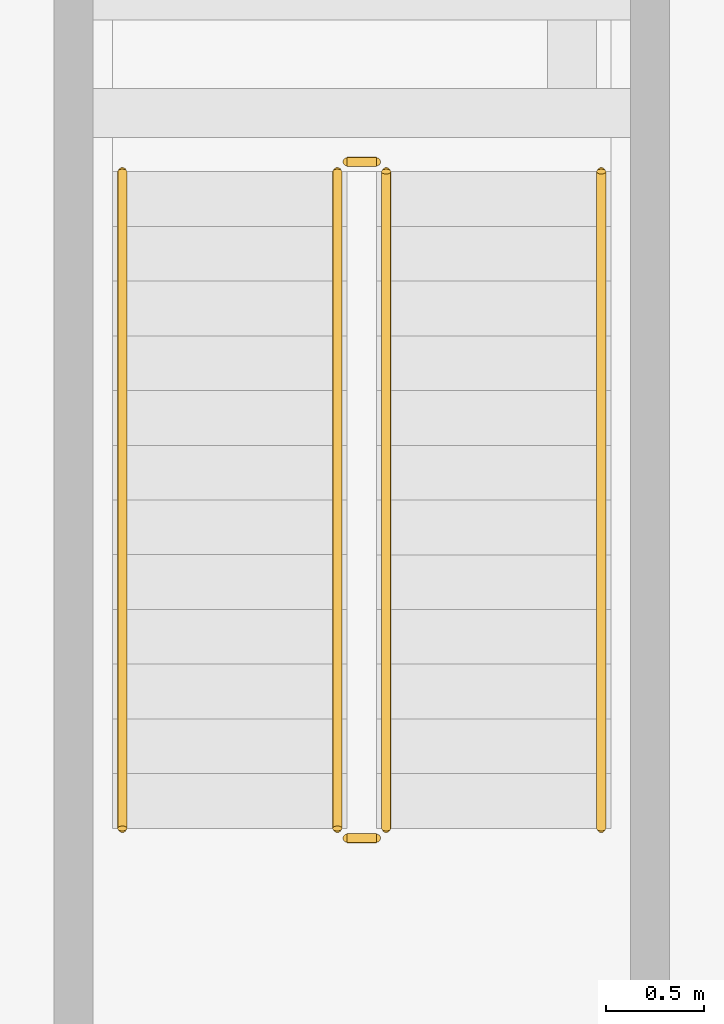
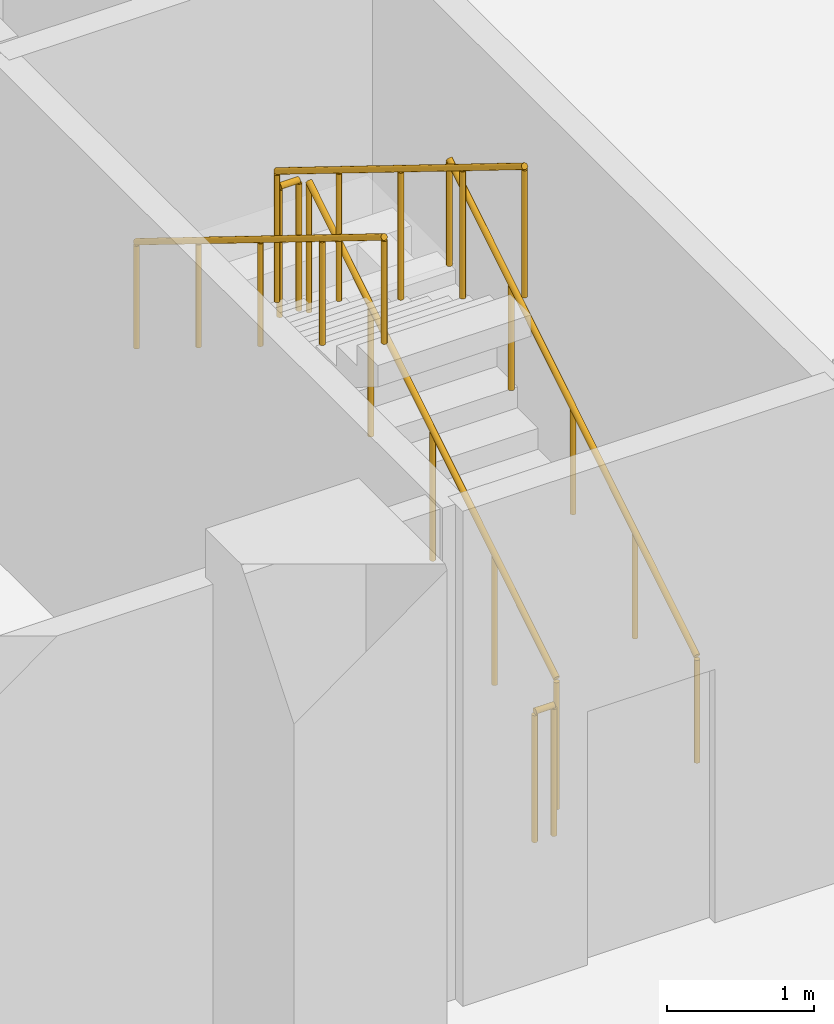
# One storey, part 37 of 39: 6 railings.
"""IFC4 building model written with IfcOpenShell, lengths in metres."""

from ifc_helpers import new_model, si_unit, direction, frame, origin, origin_2d, place, context, subcontext, project, spatial, circle, extrude, material, type_object, element, save


model = new_model("IFC4")

# Units and contexts
model_context = context("Model", 3, precision=1e-05, world=origin(), true_north=direction((0.0, 1.0)))
body_context = subcontext(model_context, "Body", "Model", "MODEL_VIEW")
ifc_project = project(units=[si_unit("LENGTHUNIT", "METRE"), si_unit("AREAUNIT", "SQUARE_METRE"), si_unit("VOLUMEUNIT", "CUBIC_METRE"), si_unit("PLANEANGLEUNIT", "RADIAN"), si_unit("MASSUNIT", "GRAM", prefix="KILO")], contexts=[model_context])

# Site, building, storey
site_placement = place(None, origin())
site = spatial("IfcSite", under=ifc_project, at=site_placement, CompositionType="ELEMENT")
building_placement = place(site_placement, origin())
building = spatial("IfcBuilding", under=site, at=building_placement, Name="Ogive Gate Towers", CompositionType="ELEMENT")
storey_placement = place(building_placement, frame((0.0, 0.0, -9.0)))
storey = spatial("IfcBuildingStorey", under=building, at=storey_placement, Name="B2", CompositionType="ELEMENT", Elevation=-9.0)

# Railings
ifc_material_1 = material(Name="Painted steel", Category="steel")
railing_type_1 = type_object("IfcRailingType", Name="Car park stair guard 1100", PredefinedType="GUARDRAIL", material=ifc_material_1)
railing_1_placement = place(storey_placement, frame((29.89990234375, 64.89990234375, 0.173095703125)))
element("IfcRailing", 1, at=railing_1_placement, inside=storey, type_object=railing_type_1, Name="B2 CS3 stair guard 1", PredefinedType="GUARDRAIL", context=body_context, shape_type="SweptSolid", body=[
    extrude(circle(Radius=0.02392578125, at=origin_2d()), frame((0.0, 0.0, 1.076171875), z_axis=(0.0, 0.850623216509, 0.525775754039), x_axis=(-1.0, 0.0, 0.0)), (0.0, 0.0, 1.0), 3.9501953125),
    extrude(circle(Radius=0.02099609375, at=origin_2d()), origin(), (0.0, 0.0, 1.0), 1.052001953125),
    extrude(circle(Radius=0.02099609375, at=origin_2d()), frame((0.0, 0.840087890625, 0.519287109375)), (0.0, 0.0, 1.0), 1.052001953125),
    extrude(circle(Radius=0.02099609375, at=origin_2d()), frame((0.0, 1.68017578125, 1.03857421875)), (0.0, 0.0, 1.0), 1.052001953125),
    extrude(circle(Radius=0.02099609375, at=origin_2d()), frame((0.0, 2.52001953125, 1.5576171875)), (0.0, 0.0, 1.0), 1.052001953125),
    extrude(circle(Radius=0.02099609375, at=origin_2d()), frame((0.0, 3.360107421875, 2.076904296875)), (0.0, 0.0, 1.0), 1.052001953125),
])
railing_2_placement = place(storey_placement, frame((29.85009765625, 68.31005859375, 2.25)))
element("IfcRailing", 2, at=railing_2_placement, inside=storey, type_object=railing_type_1, Name="B2 CS3 stair guard 2", PredefinedType="GUARDRAIL", context=body_context, shape_type="SweptSolid", body=[
    extrude(circle(Radius=0.02392578125, at=origin_2d()), frame((0.0, 0.0, 1.076171875), z_axis=(-1.0, 0.0, 0.0), x_axis=(0.0, -1.0, 0.0)), (0.0, 0.0, 1.0), 0.150146484375),
    extrude(circle(Radius=0.02099609375, at=origin_2d()), origin(), (0.0, 0.0, 1.0), 1.052001953125),
    extrude(circle(Radius=0.02099609375, at=origin_2d()), frame((-0.150146484375, 0.0, 0.0)), (0.0, 0.0, 1.0), 1.052001953125),
])
railing_3_placement = place(storey_placement, frame((29.64990234375, 68.260009765625, 2.423095703125)))
element("IfcRailing", 3, at=railing_3_placement, inside=storey, type_object=railing_type_1, Name="B2 CS3 stair guard 3", PredefinedType="GUARDRAIL", context=body_context, shape_type="SweptSolid", body=[
    extrude(circle(Radius=0.02392578125, at=origin_2d()), frame((0.0, 0.0, 1.076171875), z_axis=(0.0, -0.850623216509, 0.525775754039), x_axis=(1.0, 0.0, 0.0)), (0.0, 0.0, 1.0), 3.9501953125),
    extrude(circle(Radius=0.02099609375, at=origin_2d()), origin(), (0.0, 0.0, 1.0), 1.052001953125),
    extrude(circle(Radius=0.02099609375, at=origin_2d()), frame((0.0, -0.840087890625, 0.519287109375)), (0.0, 0.0, 1.0), 1.052001953125),
    extrude(circle(Radius=0.02099609375, at=origin_2d()), frame((0.0, -1.68017578125, 1.03857421875)), (0.0, 0.0, 1.0), 1.052001953125),
    extrude(circle(Radius=0.02099609375, at=origin_2d()), frame((0.0, -2.52001953125, 1.5576171875)), (0.0, 0.0, 1.0), 1.052001953125),
    extrude(circle(Radius=0.02099609375, at=origin_2d()), frame((0.0, -3.360107421875, 2.076904296875)), (0.0, 0.0, 1.0), 1.052001953125),
])
railing_4_placement = place(storey_placement, frame((29.85009765625, 64.85009765625, 0.0)))
element("IfcRailing", 4, at=railing_4_placement, inside=storey, type_object=railing_type_1, Name="B2 CS3 stair guard 4", PredefinedType="GUARDRAIL", context=body_context, shape_type="SweptSolid", body=[
    extrude(circle(Radius=0.02392578125, at=origin_2d()), frame((0.0, 0.0, 1.076171875), z_axis=(-1.0, 0.0, 0.0), x_axis=(0.0, -1.0, 0.0)), (0.0, 0.0, 1.0), 0.150146484375),
    extrude(circle(Radius=0.02099609375, at=origin_2d()), origin(), (0.0, 0.0, 1.0), 1.052001953125),
    extrude(circle(Radius=0.02099609375, at=origin_2d()), frame((-0.150146484375, 0.0, 0.0)), (0.0, 0.0, 1.0), 1.052001953125),
])
ifc_material_2 = material(Name="Stainless steel handrail", Category="steel")
railing_type_2 = type_object("IfcRailingType", Name="Car park stair handrail 900", PredefinedType="HANDRAIL", material=ifc_material_2)
railing_5_placement = place(storey_placement, frame((31.0, 64.89990234375, 0.173095703125)))
element("IfcRailing", 5, at=railing_5_placement, inside=storey, type_object=railing_type_2, Name="B2 CS3 stair handrail 1", PredefinedType="HANDRAIL", context=body_context, shape_type="SweptSolid", body=[
    extrude(circle(Radius=0.02392578125, at=origin_2d()), frame((0.0, 0.0, 0.8759765625), z_axis=(0.0, 0.850623216509, 0.525775754039), x_axis=(-1.0, 0.0, 0.0)), (0.0, 0.0, 1.0), 3.9501953125),
    extrude(circle(Radius=0.02099609375, at=origin_2d()), origin(), (0.0, 0.0, 1.0), 0.851806640625),
    extrude(circle(Radius=0.02099609375, at=origin_2d()), frame((0.0, 0.840087890625, 0.519287109375)), (0.0, 0.0, 1.0), 0.851806640625),
    extrude(circle(Radius=0.02099609375, at=origin_2d()), frame((0.0, 1.68017578125, 1.03857421875)), (0.0, 0.0, 1.0), 0.851806640625),
    extrude(circle(Radius=0.02099609375, at=origin_2d()), frame((0.0, 2.52001953125, 1.5576171875)), (0.0, 0.0, 1.0), 0.851806640625),
    extrude(circle(Radius=0.02099609375, at=origin_2d()), frame((0.0, 3.360107421875, 2.076904296875)), (0.0, 0.0, 1.0), 0.851806640625),
])
railing_6_placement = place(storey_placement, frame((28.550048828125, 68.260009765625, 2.423095703125)))
element("IfcRailing", 6, at=railing_6_placement, inside=storey, type_object=railing_type_2, Name="B2 CS3 stair handrail 2", PredefinedType="HANDRAIL", context=body_context, shape_type="SweptSolid", body=[
    extrude(circle(Radius=0.02392578125, at=origin_2d()), frame((0.0, 0.0, 0.8759765625), z_axis=(0.0, -0.850623216509, 0.525775754039), x_axis=(1.0, 0.0, 0.0)), (0.0, 0.0, 1.0), 3.9501953125),
    extrude(circle(Radius=0.02099609375, at=origin_2d()), origin(), (0.0, 0.0, 1.0), 0.851806640625),
    extrude(circle(Radius=0.02099609375, at=origin_2d()), frame((0.0, -0.840087890625, 0.519287109375)), (0.0, 0.0, 1.0), 0.851806640625),
    extrude(circle(Radius=0.02099609375, at=origin_2d()), frame((0.0, -1.68017578125, 1.03857421875)), (0.0, 0.0, 1.0), 0.851806640625),
    extrude(circle(Radius=0.02099609375, at=origin_2d()), frame((0.0, -2.52001953125, 1.5576171875)), (0.0, 0.0, 1.0), 0.851806640625),
    extrude(circle(Radius=0.02099609375, at=origin_2d()), frame((0.0, -3.360107421875, 2.076904296875)), (0.0, 0.0, 1.0), 0.851806640625),
])

save(model, "model.ifc")
